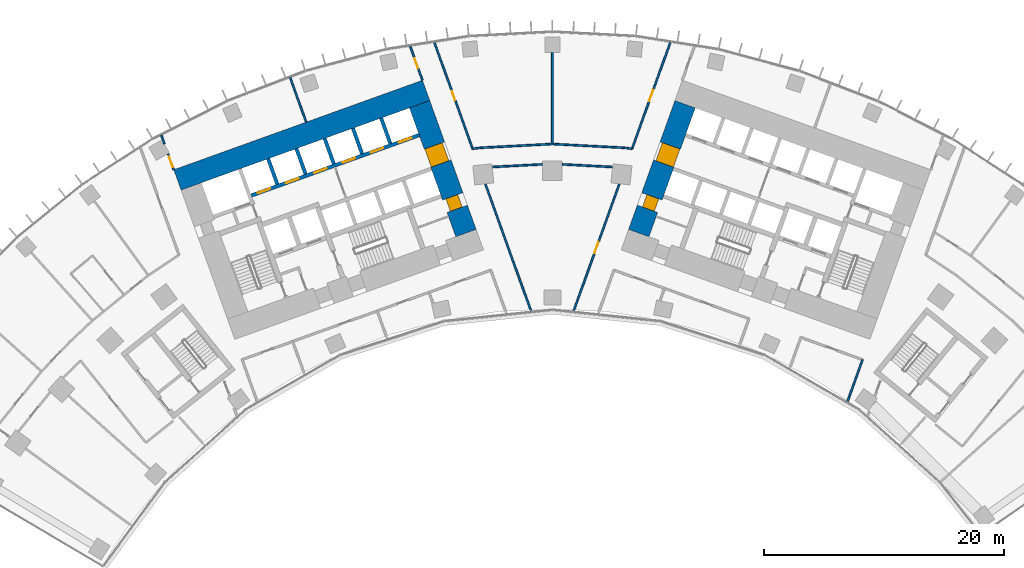
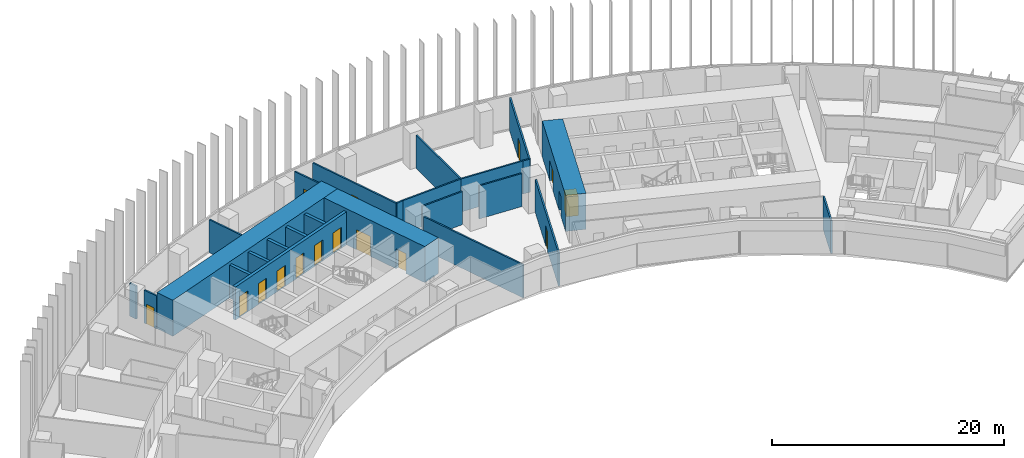
# One storey, part 19 of 24: 25 walls, 15 doors, 15 openings.
"""IFC4 building model written with IfcOpenShell, lengths in metres."""

from ifc_helpers import new_model, si_unit, direction, frame, frame_2d, origin, place, context, subcontext, project, spatial, rectangle, extrude, material, layer, layer_set, type_object, element, fill, save


model = new_model("IFC4")

# Units and contexts
model_context = context("Model", 3, precision=1e-05, world=origin(), true_north=direction((0.0, 1.0)))
body_context = subcontext(model_context, "Body", "Model", "MODEL_VIEW")
ifc_project = project(units=[si_unit("LENGTHUNIT", "METRE"), si_unit("AREAUNIT", "SQUARE_METRE"), si_unit("VOLUMEUNIT", "CUBIC_METRE"), si_unit("PLANEANGLEUNIT", "RADIAN"), si_unit("MASSUNIT", "GRAM", prefix="KILO")], contexts=[model_context])

# Site, building, storey
site_placement = place(None, origin())
site = spatial("IfcSite", under=ifc_project, at=site_placement, CompositionType="ELEMENT")
building_placement = place(site_placement, origin())
building = spatial("IfcBuilding", under=site, at=building_placement, Name="Stone Belt Terrace Tower", CompositionType="ELEMENT")
storey_placement = place(building_placement, frame((0.0, 0.0, 64.199951171875)))
storey = spatial("IfcBuildingStorey", under=building, at=storey_placement, Name="L15", CompositionType="ELEMENT", Elevation=64.199951171875)

# Wall
ifc_material_1 = material(Name="Concrete B80", Category="concrete")
ifc_layer_1 = layer(ifc_material_1, 1.800048828125)
ifc_layer_set_1 = layer_set([ifc_layer_1], Name="Core wall 1800 B80")
wall_type_1 = type_object("IfcWallType", Name="Core wall 1800 B80", PredefinedType="SHEAR", material=ifc_layer_set_1)
wall_1_placement = place(storey_placement, frame((-31.20947265625, 54.23583984375, 0.0), z_axis=(0.0, 0.0, 1.0), x_axis=(0.940922914687, 0.338620833112, 0.0)))
element("IfcWall", 1, at=wall_1_placement, inside=storey, type_object=wall_type_1, Name="Core A wall convex L15", PredefinedType="SHEAR", context=body_context, shape_type="SweptSolid", body=[
    extrude(rectangle(XDim=22.000244140625, YDim=1.800048828125, at=frame_2d((11.0, 0.0))), origin(), (0.0, 0.0, 1.0), 3.800048828125),
])

# Wall, openings, doors
wall_2_placement = place(storey_placement, frame((-7.19091796875, 49.8076171875, 0.0), z_axis=(0.0, 0.0, 1.0), x_axis=(-0.338632255135, 0.940918804033, 0.0)))
wall_2 = element("IfcWall", 2, at=wall_2_placement, inside=storey, type_object=wall_type_1, Name="Core A wall end_b L15", PredefinedType="SHEAR", context=body_context, shape_type="SweptSolid", body=[
    extrude(rectangle(XDim=11.39990234375, YDim=1.800048828125, at=frame_2d((5.699951171875, 0.0))), origin(), (0.0, 0.0, 1.0), 3.800048828125),
])
opening_1_placement = place(wall_2_placement, frame((6.14990234375, 0.0, 0.0)))
opening_1 = element("IfcOpeningElement", 3, at=opening_1_placement, cuts=wall_2, Name="Opening L15-C04", PredefinedType="OPENING", context=body_context, shape_type="SweptSolid", body=[
    extrude(rectangle(XDim=1.60009765625, YDim=2.10009765625, at=frame_2d((0.800048828125, 1.050048828125))), frame((0.0, 0.909912109375, 0.0), z_axis=(0.0, -1.0, 0.0), x_axis=(1.0, 0.0, 0.0)), (0.0, 0.0, 1.0), 1.820068359375),
])
opening_2_placement = place(wall_2_placement, frame((2.14990234375, 0.0, 0.0)))
opening_2 = element("IfcOpeningElement", 4, at=opening_2_placement, cuts=wall_2, Name="Opening L15-C10", PredefinedType="OPENING", context=body_context, shape_type="SweptSolid", body=[
    extrude(rectangle(XDim=1.10009765625, YDim=2.10009765625, at=frame_2d((0.550048828125, 1.050048828125))), frame((0.0, 0.909912109375, 0.0), z_axis=(0.0, -1.0, 0.0), x_axis=(1.0, 0.0, 0.0)), (0.0, 0.0, 1.0), 1.820068359375),
])
ifc_material_2 = material(Name="Timber door leaf", Category="wood")
door_type_1 = type_object("IfcDoorType", Name="Core room door 1100", OperationType="SINGLE_SWING_LEFT", PredefinedType="DOOR", material=ifc_material_2)
door_1_placement = place(opening_2_placement, origin())
door_1 = element("IfcDoor", 5, at=door_1_placement, inside=storey, type_object=door_type_1, Name="Door to Accessible WC core A", OperationType="SINGLE_SWING_RIGHT", OverallHeight=2.10009765625, OverallWidth=1.10009765625, PredefinedType="DOOR", context=body_context, shape_type="SweptSolid", body=[
    extrude(rectangle(XDim=1.10009765625, YDim=2.10009765625, at=frame_2d((0.550048828125, 1.050048828125))), frame((0.0, 0.60498046875, 0.0), z_axis=(0.0, -1.0, 0.0), x_axis=(1.0, 0.0, 0.0)), (0.0, 0.0, 1.0), 1.050048828125),
])
fill(opening_2, door_1)
ifc_material_3 = material(Name="Glazed aluminium door leaf", Category="aluminium")
door_type_2 = type_object("IfcDoorType", Name="Lift lobby entrance door 1600", OperationType="DOUBLE_DOOR_SINGLE_SWING", PredefinedType="DOOR", material=ifc_material_3)
door_2_placement = place(opening_1_placement, origin())
door_2 = element("IfcDoor", 6, at=door_2_placement, inside=storey, type_object=door_type_2, Name="Lift lobby entrance door core A", OperationType="DOUBLE_DOOR_SINGLE_SWING", OverallHeight=2.10009765625, OverallWidth=1.60009765625, PredefinedType="DOOR", context=body_context, shape_type="SweptSolid", body=[
    extrude(rectangle(XDim=1.60009765625, YDim=2.10009765625, at=frame_2d((0.800048828125, 1.050048828125))), frame((0.0, 0.85498046875, 0.0), z_axis=(0.0, -1.0, 0.0), x_axis=(1.0, 0.0, 0.0)), (0.0, 0.0, 1.0), 1.550048828125),
])
fill(opening_1, door_2)

wall_3_placement = place(storey_placement, frame((7.19091796875, 49.8076171875, 0.0), z_axis=(0.0, 0.0, 1.0), x_axis=(0.338632255135, 0.940918804033, 0.0)))
wall_3 = element("IfcWall", 7, at=wall_3_placement, inside=storey, type_object=wall_type_1, Name="Core B wall end_a L15", PredefinedType="SHEAR", context=body_context, shape_type="SweptSolid", body=[
    extrude(rectangle(XDim=11.39990234375, YDim=1.800048828125, at=frame_2d((5.699951171875, 0.0))), origin(), (0.0, 0.0, 1.0), 3.800048828125),
])
opening_3_placement = place(wall_3_placement, frame((6.14990234375, 0.0, 0.0)))
opening_3 = element("IfcOpeningElement", 8, at=opening_3_placement, cuts=wall_3, Name="Opening L15-C15", PredefinedType="OPENING", context=body_context, shape_type="SweptSolid", body=[
    extrude(rectangle(XDim=1.60009765625, YDim=2.10009765625, at=frame_2d((0.800048828125, 1.050048828125))), frame((0.0, 0.909912109375, 0.0), z_axis=(0.0, -1.0, 0.0), x_axis=(1.0, 0.0, 0.0)), (0.0, 0.0, 1.0), 1.820068359375),
])
opening_4_placement = place(wall_3_placement, frame((2.14990234375, 0.0, 0.0)))
opening_4 = element("IfcOpeningElement", 9, at=opening_4_placement, cuts=wall_3, Name="Opening L15-C21", PredefinedType="OPENING", context=body_context, shape_type="SweptSolid", body=[
    extrude(rectangle(XDim=1.10009765625, YDim=2.10009765625, at=frame_2d((0.550048828125, 1.050048828125))), frame((0.0, 0.909912109375, 0.0), z_axis=(0.0, -1.0, 0.0), x_axis=(1.0, 0.0, 0.0)), (0.0, 0.0, 1.0), 1.820068359375),
])
door_3_placement = place(opening_4_placement, origin())
door_3 = element("IfcDoor", 10, at=door_3_placement, inside=storey, type_object=door_type_1, Name="Door to Accessible WC core B", OperationType="SINGLE_SWING_LEFT", OverallHeight=2.10009765625, OverallWidth=1.10009765625, PredefinedType="DOOR", context=body_context, shape_type="SweptSolid", body=[
    extrude(rectangle(XDim=1.10009765625, YDim=2.10009765625, at=frame_2d((0.550048828125, 1.050048828125))), frame((0.0, 0.44482421875, 0.0), z_axis=(0.0, -1.0, 0.0), x_axis=(1.0, 0.0, 0.0)), (0.0, 0.0, 1.0), 1.050048828125),
])
fill(opening_4, door_3)
door_4_placement = place(opening_3_placement, origin())
door_4 = element("IfcDoor", 11, at=door_4_placement, inside=storey, type_object=door_type_2, Name="Lift lobby entrance door core B", OperationType="DOUBLE_DOOR_SINGLE_SWING", OverallHeight=2.10009765625, OverallWidth=1.60009765625, PredefinedType="DOOR", context=body_context, shape_type="SweptSolid", body=[
    extrude(rectangle(XDim=1.60009765625, YDim=2.10009765625, at=frame_2d((0.800048828125, 1.050048828125))), frame((0.0, 0.69482421875, 0.0), z_axis=(0.0, -1.0, 0.0), x_axis=(1.0, 0.0, 0.0)), (0.0, 0.0, 1.0), 1.550048828125),
])
fill(opening_3, door_4)

ifc_layer_2 = layer(ifc_material_1, 0.300048828125)
ifc_layer_set_2 = layer_set([ifc_layer_2], Name="Lift shaft wall 300")
wall_type_2 = type_object("IfcWallType", Name="Lift shaft wall 300", PredefinedType="SHEAR", material=ifc_layer_set_2)
wall_4_placement = place(storey_placement, frame((-25.05810546875, 52.9423828125, 0.0), z_axis=(0.0, 0.0, 1.0), x_axis=(0.940918215764, 0.338633889685, 0.0)))
wall_4 = element("IfcWall", 12, at=wall_4_placement, inside=storey, type_object=wall_type_2, Name="Core A wall", PredefinedType="SHEAR", context=body_context, shape_type="SweptSolid", body=[
    extrude(rectangle(XDim=14.850341796875, YDim=0.300048828125, at=frame_2d((7.42529296875, 0.0))), origin(), (0.0, 0.0, 1.0), 3.47998046875),
])
opening_5_placement = place(wall_4_placement, frame((0.570068359375, 0.0, 0.0)))
opening_5 = element("IfcOpeningElement", 13, at=opening_5_placement, cuts=wall_4, Name="Opening L15-LD01", PredefinedType="OPENING", context=body_context, shape_type="SweptSolid", body=[
    extrude(rectangle(XDim=1.10009765625, YDim=2.199951171875, at=frame_2d((0.550048828125, 1.10009765625))), frame((0.0, 0.159912109375, 0.0), z_axis=(0.0, -1.0, 0.0), x_axis=(1.0, 0.0, 0.0)), (0.0, 0.0, 1.0), 0.320068359375),
])
opening_6_placement = place(wall_4_placement, frame((3.070068359375, 0.0, 0.0)))
opening_6 = element("IfcOpeningElement", 14, at=opening_6_placement, cuts=wall_4, Name="Opening L15-LD02", PredefinedType="OPENING", context=body_context, shape_type="SweptSolid", body=[
    extrude(rectangle(XDim=1.10009765625, YDim=2.199951171875, at=frame_2d((0.550048828125, 1.10009765625))), frame((0.0, 0.159912109375, 0.0), z_axis=(0.0, -1.0, 0.0), x_axis=(1.0, 0.0, 0.0)), (0.0, 0.0, 1.0), 0.320068359375),
])
opening_7_placement = place(wall_4_placement, frame((5.570068359375, 0.0, 0.0)))
opening_7 = element("IfcOpeningElement", 15, at=opening_7_placement, cuts=wall_4, Name="Opening L15-LD03", PredefinedType="OPENING", context=body_context, shape_type="SweptSolid", body=[
    extrude(rectangle(XDim=1.10009765625, YDim=2.199951171875, at=frame_2d((0.550048828125, 1.10009765625))), frame((0.0, 0.159912109375, 0.0), z_axis=(0.0, -1.0, 0.0), x_axis=(1.0, 0.0, 0.0)), (0.0, 0.0, 1.0), 0.320068359375),
])
opening_8_placement = place(wall_4_placement, frame((8.070068359375, 0.0, 0.0)))
opening_8 = element("IfcOpeningElement", 16, at=opening_8_placement, cuts=wall_4, Name="Opening L15-LD04", PredefinedType="OPENING", context=body_context, shape_type="SweptSolid", body=[
    extrude(rectangle(XDim=1.10009765625, YDim=2.199951171875, at=frame_2d((0.550048828125, 1.10009765625))), frame((0.0, 0.159912109375, 0.0), z_axis=(0.0, -1.0, 0.0), x_axis=(1.0, 0.0, 0.0)), (0.0, 0.0, 1.0), 0.320068359375),
])
opening_9_placement = place(wall_4_placement, frame((10.570068359375, 0.0, 0.0)))
opening_9 = element("IfcOpeningElement", 17, at=opening_9_placement, cuts=wall_4, Name="Opening L15-LD05", PredefinedType="OPENING", context=body_context, shape_type="SweptSolid", body=[
    extrude(rectangle(XDim=1.10009765625, YDim=2.199951171875, at=frame_2d((0.550048828125, 1.10009765625))), frame((0.0, 0.159912109375, 0.0), z_axis=(0.0, -1.0, 0.0), x_axis=(1.0, 0.0, 0.0)), (0.0, 0.0, 1.0), 0.320068359375),
])
opening_10_placement = place(wall_4_placement, frame((13.070068359375, 0.0, 0.0)))
opening_10 = element("IfcOpeningElement", 18, at=opening_10_placement, cuts=wall_4, Name="Opening L15-LD06", PredefinedType="OPENING", context=body_context, shape_type="SweptSolid", body=[
    extrude(rectangle(XDim=1.10009765625, YDim=2.199951171875, at=frame_2d((0.550048828125, 1.10009765625))), frame((0.0, 0.159912109375, 0.0), z_axis=(0.0, -1.0, 0.0), x_axis=(1.0, 0.0, 0.0)), (0.0, 0.0, 1.0), 0.320068359375),
])
ifc_material_4 = material(Name="Stainless steel door leaf", Category="steel")
door_type_3 = type_object("IfcDoorType", Name="Landing door 1100", OperationType="SLIDING_TO_LEFT", PredefinedType="DOOR", material=ifc_material_4)
door_5_placement = place(opening_5_placement, origin())
door_5 = element("IfcDoor", 19, at=door_5_placement, inside=storey, type_object=door_type_3, Name="Landing door LR1 core A", OperationType="SLIDING_TO_LEFT", OverallHeight=2.199951171875, OverallWidth=1.10009765625, PredefinedType="DOOR", context=body_context, shape_type="SweptSolid", body=[
    extrude(rectangle(XDim=1.10009765625, YDim=2.199951171875, at=frame_2d((0.550048828125, 1.10009765625))), frame((0.0, 0.02490234375, 0.0), z_axis=(0.0, -1.0, 0.0), x_axis=(1.0, 0.0, 0.0)), (0.0, 0.0, 1.0), 0.050048828125),
])
fill(opening_5, door_5)
door_6_placement = place(opening_6_placement, origin())
door_6 = element("IfcDoor", 20, at=door_6_placement, inside=storey, type_object=door_type_3, Name="Landing door LR2 core A", OperationType="SLIDING_TO_LEFT", OverallHeight=2.199951171875, OverallWidth=1.10009765625, PredefinedType="DOOR", context=body_context, shape_type="SweptSolid", body=[
    extrude(rectangle(XDim=1.10009765625, YDim=2.199951171875, at=frame_2d((0.550048828125, 1.10009765625))), frame((0.0, 0.02490234375, 0.0), z_axis=(0.0, -1.0, 0.0), x_axis=(1.0, 0.0, 0.0)), (0.0, 0.0, 1.0), 0.050048828125),
])
fill(opening_6, door_6)
door_7_placement = place(opening_7_placement, origin())
door_7 = element("IfcDoor", 21, at=door_7_placement, inside=storey, type_object=door_type_3, Name="Landing door LR3 core A", OperationType="SLIDING_TO_LEFT", OverallHeight=2.199951171875, OverallWidth=1.10009765625, PredefinedType="DOOR", context=body_context, shape_type="SweptSolid", body=[
    extrude(rectangle(XDim=1.10009765625, YDim=2.199951171875, at=frame_2d((0.550048828125, 1.10009765625))), frame((0.0, 0.02490234375, 0.0), z_axis=(0.0, -1.0, 0.0), x_axis=(1.0, 0.0, 0.0)), (0.0, 0.0, 1.0), 0.050048828125),
])
fill(opening_7, door_7)
door_8_placement = place(opening_8_placement, origin())
door_8 = element("IfcDoor", 22, at=door_8_placement, inside=storey, type_object=door_type_3, Name="Landing door LR4 core A", OperationType="SLIDING_TO_LEFT", OverallHeight=2.199951171875, OverallWidth=1.10009765625, PredefinedType="DOOR", context=body_context, shape_type="SweptSolid", body=[
    extrude(rectangle(XDim=1.10009765625, YDim=2.199951171875, at=frame_2d((0.550048828125, 1.10009765625))), frame((0.0, 0.02490234375, 0.0), z_axis=(0.0, -1.0, 0.0), x_axis=(1.0, 0.0, 0.0)), (0.0, 0.0, 1.0), 0.050048828125),
])
fill(opening_8, door_8)
door_9_placement = place(opening_9_placement, origin())
door_9 = element("IfcDoor", 23, at=door_9_placement, inside=storey, type_object=door_type_3, Name="Landing door LR5 core A", OperationType="SLIDING_TO_LEFT", OverallHeight=2.199951171875, OverallWidth=1.10009765625, PredefinedType="DOOR", context=body_context, shape_type="SweptSolid", body=[
    extrude(rectangle(XDim=1.10009765625, YDim=2.199951171875, at=frame_2d((0.550048828125, 1.10009765625))), frame((0.0, 0.02490234375, 0.0), z_axis=(0.0, -1.0, 0.0), x_axis=(1.0, 0.0, 0.0)), (0.0, 0.0, 1.0), 0.050048828125),
])
fill(opening_9, door_9)
door_10_placement = place(opening_10_placement, origin())
door_10 = element("IfcDoor", 24, at=door_10_placement, inside=storey, type_object=door_type_3, Name="Landing door LR6 core A", OperationType="SLIDING_TO_LEFT", OverallHeight=2.199951171875, OverallWidth=1.10009765625, PredefinedType="DOOR", context=body_context, shape_type="SweptSolid", body=[
    extrude(rectangle(XDim=1.10009765625, YDim=2.199951171875, at=frame_2d((0.550048828125, 1.10009765625))), frame((0.0, 0.02490234375, 0.0), z_axis=(0.0, -1.0, 0.0), x_axis=(1.0, 0.0, 0.0)), (0.0, 0.0, 1.0), 0.050048828125),
])
fill(opening_10, door_10)

# Walls
wall_5_placement = place(storey_placement, frame((-22.897705078125, 53.87939453125, 0.0), z_axis=(0.0, 0.0, 1.0), x_axis=(-0.338535034312, 0.940953787677, 0.0)))
element("IfcWall", 25, at=wall_5_placement, inside=storey, type_object=wall_type_2, Name="Core A wall", PredefinedType="SHEAR", context=body_context, shape_type="SweptSolid", body=[
    extrude(rectangle(XDim=2.25, YDim=0.300048828125, at=frame_2d((1.125, 0.0))), origin(), (0.0, 0.0, 1.0), 3.47998046875),
])
wall_6_placement = place(storey_placement, frame((-20.54541015625, 54.72607421875, 0.0), z_axis=(0.0, 0.0, 1.0), x_axis=(-0.338569601369, 0.940941350472, 0.0)))
element("IfcWall", 26, at=wall_6_placement, inside=storey, type_object=wall_type_2, Name="Core A wall", PredefinedType="SHEAR", context=body_context, shape_type="SweptSolid", body=[
    extrude(rectangle(XDim=2.249755859375, YDim=0.300048828125, at=frame_2d((1.125, 0.0))), origin(), (0.0, 0.0, 1.0), 3.47998046875),
])
wall_7_placement = place(storey_placement, frame((-18.193115234375, 55.572509765625, 0.0), z_axis=(0.0, 0.0, 1.0), x_axis=(-0.338535034312, 0.940953787677, 0.0)))
element("IfcWall", 27, at=wall_7_placement, inside=storey, type_object=wall_type_2, Name="Core A wall", PredefinedType="SHEAR", context=body_context, shape_type="SweptSolid", body=[
    extrude(rectangle(XDim=2.25, YDim=0.300048828125, at=frame_2d((1.125, 0.0))), origin(), (0.0, 0.0, 1.0), 3.47998046875),
])
wall_8_placement = place(storey_placement, frame((-15.8408203125, 56.419189453125, 0.0), z_axis=(0.0, 0.0, 1.0), x_axis=(-0.338569601369, 0.940941350472, 0.0)))
element("IfcWall", 28, at=wall_8_placement, inside=storey, type_object=wall_type_2, Name="Core A wall", PredefinedType="SHEAR", context=body_context, shape_type="SweptSolid", body=[
    extrude(rectangle(XDim=2.249755859375, YDim=0.300048828125, at=frame_2d((1.125, 0.0))), origin(), (0.0, 0.0, 1.0), 3.47998046875),
])
wall_9_placement = place(storey_placement, frame((-13.48828125, 57.265625, 0.0), z_axis=(0.0, 0.0, 1.0), x_axis=(-0.338631098537, 0.940919220286, 0.0)))
element("IfcWall", 29, at=wall_9_placement, inside=storey, type_object=wall_type_2, Name="Core A wall", PredefinedType="SHEAR", context=body_context, shape_type="SweptSolid", body=[
    extrude(rectangle(XDim=2.250244140625, YDim=0.300048828125, at=frame_2d((1.125, 0.0))), origin(), (0.0, 0.0, 1.0), 3.47998046875),
])
ifc_material_5 = material(Name="Gypsum board partition")
ifc_layer_3 = layer(ifc_material_5, 0.14990234375)
ifc_layer_set_3 = layer_set([ifc_layer_3], Name="PARTITION 150 EI 60")
wall_type_3 = type_object("IfcWallType", Name="PARTITION 150 EI 60", PredefinedType="PARTITIONING", material=ifc_layer_set_3)
wall_10_placement = place(storey_placement, frame((-32.5458984375, 57.947998046875, 0.0), z_axis=(0.0, 0.0, 1.0), x_axis=(0.338960201827, -0.940800712998, 0.0)))
element("IfcWall", 30, at=wall_10_placement, inside=storey, type_object=wall_type_3, Name="L15/wall/i002", PredefinedType="PARTITIONING", context=body_context, shape_type="SweptSolid", body=[
    extrude(rectangle(XDim=0.754150390625, YDim=0.14990234375, at=frame_2d((0.376953125, 0.0))), origin(), (0.0, 0.0, 1.0), 3.47998046875),
])

# Wall, opening, door
wall_11_placement = place(storey_placement, frame((-31.98681640625, 56.39599609375, 0.0), z_axis=(0.0, 0.0, 1.0), x_axis=(0.338861945182, -0.940836107995, 0.0)))
wall_11 = element("IfcWall", 31, at=wall_11_placement, inside=storey, type_object=wall_type_3, Name="L15/wall/i003", PredefinedType="PARTITIONING", context=body_context, shape_type="SweptSolid", body=[
    extrude(rectangle(XDim=1.3955078125, YDim=0.14990234375, at=frame_2d((0.69775390625, 0.0))), origin(), (0.0, 0.0, 1.0), 3.47998046875),
])
opening_11_placement = place(wall_11_placement, frame((0.247802734375, 0.0, 0.0)))
opening_11 = element("IfcOpeningElement", 32, at=opening_11_placement, cuts=wall_11, Name="Opening D-A4-05", PredefinedType="OPENING", context=body_context, shape_type="SweptSolid", body=[
    extrude(rectangle(XDim=0.89990234375, YDim=2.10009765625, at=frame_2d((0.449951171875, 1.050048828125))), frame((0.0, 0.0849609375, 0.0), z_axis=(0.0, -1.0, 0.0), x_axis=(1.0, 0.0, 0.0)), (0.0, 0.0, 1.0), 0.169921875),
])
door_type_4 = type_object("IfcDoorType", Name="OFFICE DOOR 900 X 2100", OperationType="NOTDEFINED", PredefinedType="DOOR", material=ifc_material_2)
door_11_placement = place(opening_11_placement, origin())
door_11 = element("IfcDoor", 33, at=door_11_placement, inside=storey, type_object=door_type_4, Name="L15/door/i05", OperationType="SINGLE_SWING_RIGHT", OverallHeight=2.10009765625, OverallWidth=0.89990234375, PredefinedType="DOOR", context=body_context, shape_type="SweptSolid", body=[
    extrude(rectangle(XDim=0.89990234375, YDim=2.10009765625, at=frame_2d((0.449951171875, 1.050048828125))), frame((0.0, 0.02490234375, 0.0), z_axis=(0.0, -1.0, 0.0), x_axis=(1.0, 0.0, 0.0)), (0.0, 0.0, 1.0), 0.050048828125),
])
fill(opening_11, door_11)

wall_12_placement = place(storey_placement, frame((-10.81396484375, 62.531982421875, 0.0), z_axis=(0.0, 0.0, 1.0), x_axis=(-0.338526810165, 0.940956746508, 0.0)))
wall_12 = element("IfcWall", 34, at=wall_12_placement, inside=storey, type_object=wall_type_3, Name="L15/wall/i008", PredefinedType="PARTITIONING", context=body_context, shape_type="SweptSolid", body=[
    extrude(rectangle(XDim=3.006591796875, YDim=0.14990234375, at=frame_2d((1.50341796875, 0.0))), origin(), (0.0, 0.0, 1.0), 3.47998046875),
])
opening_12_placement = place(wall_12_placement, frame((1.05322265625, 0.0, 0.0)))
opening_12 = element("IfcOpeningElement", 35, at=opening_12_placement, cuts=wall_12, Name="Opening D-A4-06", PredefinedType="OPENING", context=body_context, shape_type="SweptSolid", body=[
    extrude(rectangle(XDim=0.89990234375, YDim=2.10009765625, at=frame_2d((0.449951171875, 1.050048828125))), frame((0.0, 0.0849609375, 0.0), z_axis=(0.0, -1.0, 0.0), x_axis=(1.0, 0.0, 0.0)), (0.0, 0.0, 1.0), 0.169921875),
])
door_12_placement = place(opening_12_placement, origin())
door_12 = element("IfcDoor", 36, at=door_12_placement, inside=storey, type_object=door_type_4, Name="L15/door/i06", OperationType="SINGLE_SWING_RIGHT", OverallHeight=2.10009765625, OverallWidth=0.89990234375, PredefinedType="DOOR", context=body_context, shape_type="SweptSolid", body=[
    extrude(rectangle(XDim=0.89990234375, YDim=2.10009765625, at=frame_2d((0.449951171875, 1.050048828125))), frame((0.0, 0.02490234375, 0.0), z_axis=(0.0, -1.0, 0.0), x_axis=(1.0, 0.0, 0.0)), (0.0, 0.0, 1.0), 0.050048828125),
])
fill(opening_12, door_12)

# Wall
wall_13_placement = place(storey_placement, frame((-5.574951171875, 53.88232421875, 0.0), z_axis=(0.0, 0.0, 1.0), x_axis=(0.338622486498, -0.940922319662, 0.0)))
element("IfcWall", 37, at=wall_13_placement, inside=storey, type_object=wall_type_3, Name="L15/wall/i009", PredefinedType="PARTITIONING", context=body_context, shape_type="SweptSolid", body=[
    extrude(rectangle(XDim=11.232177734375, YDim=0.14990234375, at=frame_2d((5.6162109375, 0.0))), origin(), (0.0, 0.0, 1.0), 3.47998046875),
])

# Wall, opening, door
wall_14_placement = place(storey_placement, frame((-9.8212890625, 65.68115234375, 0.0), z_axis=(0.0, 0.0, 1.0), x_axis=(0.338561511742, -0.940944261243, 0.0)))
wall_14 = element("IfcWall", 38, at=wall_14_placement, inside=storey, type_object=wall_type_3, Name="L15/wall/i010", PredefinedType="PARTITIONING", context=body_context, shape_type="SweptSolid", body=[
    extrude(rectangle(XDim=9.4140625, YDim=0.14990234375, at=frame_2d((4.70703125, 0.0))), origin(), (0.0, 0.0, 1.0), 3.47998046875),
])
opening_13_placement = place(wall_14_placement, frame((4.30712890625, 0.0, 0.0)))
opening_13 = element("IfcOpeningElement", 39, at=opening_13_placement, cuts=wall_14, Name="Opening D-A4-29", PredefinedType="OPENING", context=body_context, shape_type="SweptSolid", body=[
    extrude(rectangle(XDim=0.800048828125, YDim=2.10009765625, at=frame_2d((0.39990234375, 1.050048828125))), frame((0.0, 0.0849609375, 0.0), z_axis=(0.0, -1.0, 0.0), x_axis=(1.0, 0.0, 0.0)), (0.0, 0.0, 1.0), 0.169921875),
])
door_type_5 = type_object("IfcDoorType", Name="STORE DOOR 800 X 2100", OperationType="NOTDEFINED", PredefinedType="DOOR", material=ifc_material_2)
door_13_placement = place(opening_13_placement, origin())
door_13 = element("IfcDoor", 40, at=door_13_placement, inside=storey, type_object=door_type_5, Name="L15/door/i29", OperationType="SINGLE_SWING_RIGHT", OverallHeight=2.10009765625, OverallWidth=0.800048828125, PredefinedType="DOOR", context=body_context, shape_type="SweptSolid", body=[
    extrude(rectangle(XDim=0.800048828125, YDim=2.10009765625, at=frame_2d((0.39990234375, 1.050048828125))), frame((0.0, 0.02490234375, 0.0), z_axis=(0.0, -1.0, 0.0), x_axis=(1.0, 0.0, 0.0)), (0.0, 0.0, 1.0), 0.050048828125),
])
fill(opening_13, door_13)

# Wall
wall_15_placement = place(storey_placement, frame((-21.827880859375, 62.755126953125, 0.0), z_axis=(0.0, 0.0, 1.0), x_axis=(0.338675570536, -0.940903213897, 0.0)))
element("IfcWall", 41, at=wall_15_placement, inside=storey, type_object=wall_type_3, Name="L15/wall/i018", PredefinedType="PARTITIONING", context=body_context, shape_type="SweptSolid", body=[
    extrude(rectangle(XDim=3.938720703125, YDim=0.14990234375, at=frame_2d((1.96923828125, 0.0))), origin(), (0.0, 0.0, 1.0), 3.47998046875),
])

# Wall, opening, door
wall_16_placement = place(storey_placement, frame((1.771484375, 43.313720703125, 0.0), z_axis=(0.0, 0.0, 1.0), x_axis=(0.338622486498, 0.940922319662, 0.0)))
wall_16 = element("IfcWall", 42, at=wall_16_placement, inside=storey, type_object=wall_type_3, Name="L15/wall/i021", PredefinedType="PARTITIONING", context=body_context, shape_type="SweptSolid", body=[
    extrude(rectangle(XDim=11.232177734375, YDim=0.14990234375, at=frame_2d((5.6162109375, 0.0))), origin(), (0.0, 0.0, 1.0), 3.47998046875),
])
opening_14_placement = place(wall_16_placement, frame((5.1162109375, 0.0, 0.0)))
opening_14 = element("IfcOpeningElement", 43, at=opening_14_placement, cuts=wall_16, Name="Opening D-A4-28", PredefinedType="OPENING", context=body_context, shape_type="SweptSolid", body=[
    extrude(rectangle(XDim=1.0, YDim=2.10009765625, at=frame_2d((0.5, 1.050048828125))), frame((0.0, 0.0849609375, 0.0), z_axis=(0.0, -1.0, 0.0), x_axis=(1.0, 0.0, 0.0)), (0.0, 0.0, 1.0), 0.169921875),
])
ifc_material_6 = material(Name="Timber fire door leaf", Category="wood")
door_type_6 = type_object("IfcDoorType", Name="TENANCY ENTRANCE DOOR 1000 X 2100", OperationType="NOTDEFINED", PredefinedType="DOOR", material=ifc_material_6)
door_14_placement = place(opening_14_placement, origin())
door_14 = element("IfcDoor", 44, at=door_14_placement, inside=storey, type_object=door_type_6, Name="L15/door/i28", OperationType="SINGLE_SWING_LEFT", OverallHeight=2.10009765625, OverallWidth=1.0, PredefinedType="DOOR", context=body_context, shape_type="SweptSolid", body=[
    extrude(rectangle(XDim=1.0, YDim=2.10009765625, at=frame_2d((0.5, 1.050048828125))), frame((0.0, 0.02490234375, 0.0), z_axis=(0.0, -1.0, 0.0), x_axis=(1.0, 0.0, 0.0)), (0.0, 0.0, 1.0), 0.050048828125),
])
fill(opening_14, door_14)

wall_17_placement = place(storey_placement, frame((6.634033203125, 56.822998046875, 0.0), z_axis=(0.0, 0.0, 1.0), x_axis=(0.338561511742, 0.940944261243, 0.0)))
wall_17 = element("IfcWall", 45, at=wall_17_placement, inside=storey, type_object=wall_type_3, Name="L15/wall/i022", PredefinedType="PARTITIONING", context=body_context, shape_type="SweptSolid", body=[
    extrude(rectangle(XDim=9.4140625, YDim=0.14990234375, at=frame_2d((4.70703125, 0.0))), origin(), (0.0, 0.0, 1.0), 3.47998046875),
])
opening_15_placement = place(wall_17_placement, frame((4.20703125, 0.0, 0.0)))
opening_15 = element("IfcOpeningElement", 46, at=opening_15_placement, cuts=wall_17, Name="Opening D-A4-30", PredefinedType="OPENING", context=body_context, shape_type="SweptSolid", body=[
    extrude(rectangle(XDim=1.0, YDim=2.10009765625, at=frame_2d((0.5, 1.050048828125))), frame((0.0, 0.0849609375, 0.0), z_axis=(0.0, -1.0, 0.0), x_axis=(1.0, 0.0, 0.0)), (0.0, 0.0, 1.0), 0.169921875),
])
door_15_placement = place(opening_15_placement, origin())
door_15 = element("IfcDoor", 47, at=door_15_placement, inside=storey, type_object=door_type_6, Name="L15/door/i30", OperationType="SINGLE_SWING_RIGHT", OverallHeight=2.10009765625, OverallWidth=1.0, PredefinedType="DOOR", context=body_context, shape_type="SweptSolid", body=[
    extrude(rectangle(XDim=1.0, YDim=2.10009765625, at=frame_2d((0.5, 1.050048828125))), frame((0.0, 0.02490234375, 0.0), z_axis=(0.0, -1.0, 0.0), x_axis=(1.0, 0.0, 0.0)), (0.0, 0.0, 1.0), 0.050048828125),
])
fill(opening_15, door_15)

# Walls
wall_18_placement = place(storey_placement, frame((24.56494140625, 35.771728515625, 0.0), z_axis=(0.0, 0.0, 1.0), x_axis=(0.338392582605, 0.941005026574, 0.0)))
element("IfcWall", 48, at=wall_18_placement, inside=storey, type_object=wall_type_3, Name="L15/wall/i023", PredefinedType="PARTITIONING", context=body_context, shape_type="SweptSolid", body=[
    extrude(rectangle(XDim=3.729248046875, YDim=0.14990234375, at=frame_2d((1.86474609375, 0.0))), origin(), (0.0, 0.0, 1.0), 3.47998046875),
])
for number, where, z_axis, x_axis, name in (
    (49, (4.979248046875, 55.314453125, 0.0), (0.0, 0.0, 1.0), (-0.998634659291, 0.052238082501, 0.0), "L15/wall/i077"),
    (50, (-0.830078125, 55.531494140625, 0.0), (0.0, 0.0, 1.0), (-0.998634659291, -0.052238082501, 0.0), "L15/wall/i078"),
):
    element("IfcWall", number, at=place(storey_placement, frame(where, z_axis=z_axis, x_axis=x_axis)), inside=storey, type_object=wall_type_3, Name=name, PredefinedType="PARTITIONING", context=body_context, shape_type="SweptSolid", body=[
        extrude(rectangle(XDim=4.15478515625, YDim=0.14990234375, at=frame_2d((2.077392578125, 0.0))), origin(), (0.0, 0.0, 1.0), 3.47998046875),
    ])
wall_19_placement = place(storey_placement, frame((-6.635986328125, 56.8291015625, 0.0), z_axis=(0.0, 0.0, 1.0), x_axis=(0.992042541351, 0.125903122083, 0.0)))
element("IfcWall", 51, at=wall_19_placement, inside=storey, type_object=wall_type_3, Name="L15/wall/i079", PredefinedType="PARTITIONING", context=body_context, shape_type="SweptSolid", body=[
    extrude(rectangle(XDim=0.6591796875, YDim=0.14990234375, at=frame_2d((0.32958984375, 0.0))), origin(), (0.0, 0.0, 1.0), 3.47998046875),
])
for number, where, z_axis, x_axis, name in (
    (52, (-5.98193359375, 56.912109375, 0.0), (0.0, 0.0, 1.0), (0.998633994648, 0.052250786921, 0.0), "L15/wall/i080"),
    (53, (0.0, 57.22509765625, 0.0), (0.0, 0.0, 1.0), (0.998633994648, -0.052250786921, 0.0), "L15/wall/i081"),
):
    element("IfcWall", number, at=place(storey_placement, frame(where, z_axis=z_axis, x_axis=x_axis)), inside=storey, type_object=wall_type_3, Name=name, PredefinedType="PARTITIONING", context=body_context, shape_type="SweptSolid", body=[
        extrude(rectangle(XDim=5.990234375, YDim=0.14990234375, at=frame_2d((2.9951171875, 0.0))), origin(), (0.0, 0.0, 1.0), 3.47998046875),
    ])
wall_20_placement = place(storey_placement, frame((5.98193359375, 56.912109375, 0.0), z_axis=(0.0, 0.0, 1.0), x_axis=(0.992042541351, -0.125903122083, 0.0)))
element("IfcWall", 54, at=wall_20_placement, inside=storey, type_object=wall_type_3, Name="L15/wall/i082", PredefinedType="PARTITIONING", context=body_context, shape_type="SweptSolid", body=[
    extrude(rectangle(XDim=0.6591796875, YDim=0.14990234375, at=frame_2d((0.32958984375, 0.0))), origin(), (0.0, 0.0, 1.0), 3.47998046875),
])
wall_21_placement = place(storey_placement, frame((0.0, 64.833984375, 0.0), z_axis=(0.0, 0.0, 1.0), x_axis=(0.0, -1.0, 0.0)))
element("IfcWall", 55, at=wall_21_placement, inside=storey, type_object=wall_type_3, Name="L15/wall/i083", PredefinedType="PARTITIONING", context=body_context, shape_type="SweptSolid", body=[
    extrude(rectangle(XDim=7.60888671875, YDim=0.14990234375, at=frame_2d((3.804443359375, 0.0))), origin(), (0.0, 0.0, 1.0), 3.47998046875),
])

save(model, "model.ifc")
